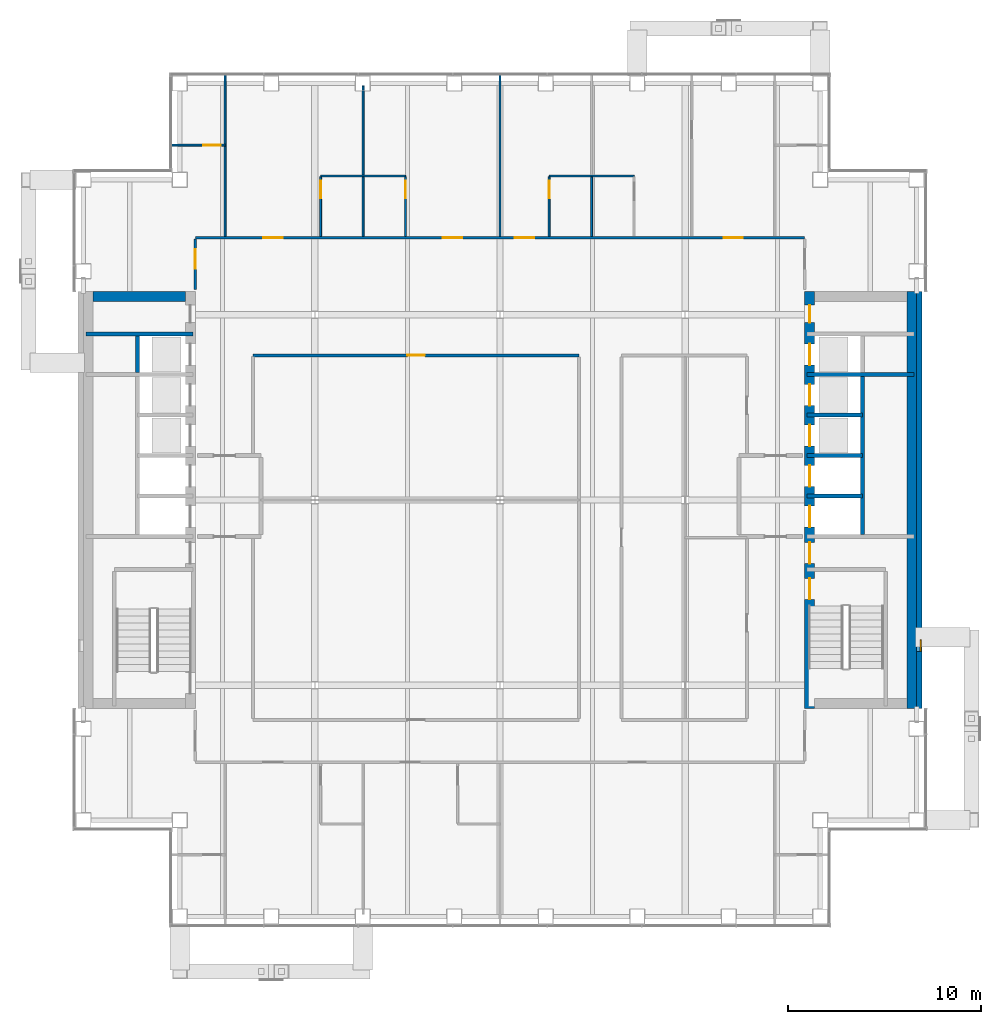
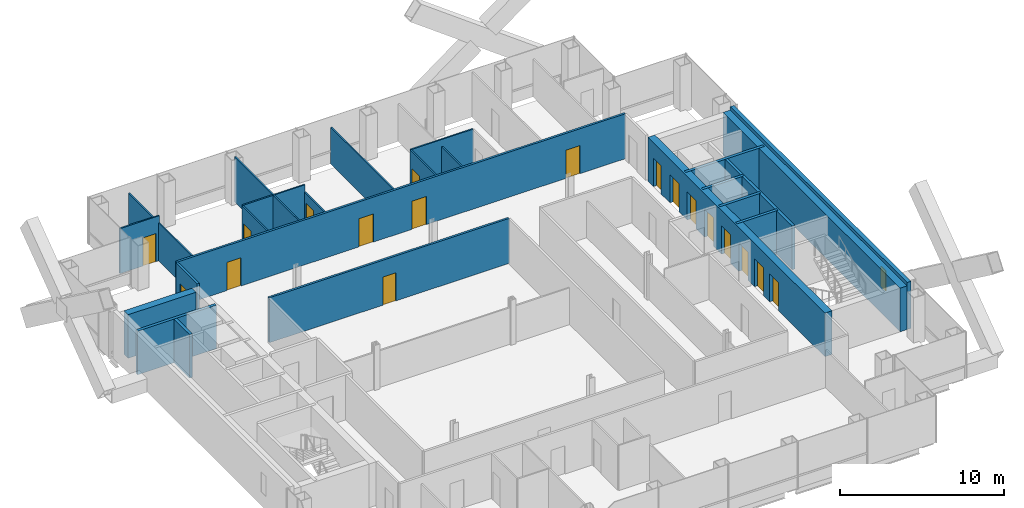
# One storey, part 11 of 14: 25 walls, 18 doors, 1 window, 19 openings.
"""IFC4 building model written with IfcOpenShell, lengths in metres."""

from ifc_helpers import new_model, si_unit, direction, frame, frame_2d, origin, place, context, subcontext, project, spatial, rectangle, extrude, material, layer, layer_set, type_object, element, fill, save


model = new_model("IFC4")

# Units and contexts
model_context = context("Model", 3, precision=1e-05, world=origin(), true_north=direction((0.0, 1.0)))
body_context = subcontext(model_context, "Body", "Model", "MODEL_VIEW")
ifc_project = project(units=[si_unit("LENGTHUNIT", "METRE"), si_unit("AREAUNIT", "SQUARE_METRE"), si_unit("VOLUMEUNIT", "CUBIC_METRE"), si_unit("PLANEANGLEUNIT", "RADIAN"), si_unit("MASSUNIT", "GRAM", prefix="KILO")], contexts=[model_context])

# Site, building, storey
site_placement = place(None, origin())
site = spatial("IfcSite", under=ifc_project, at=site_placement, CompositionType="ELEMENT")
building_placement = place(site_placement, origin())
building = spatial("IfcBuilding", under=site, at=building_placement, Name="Cobrizo Arcos Hotel Tower", CompositionType="ELEMENT")
storey_placement = place(building_placement, frame((0.0, 0.0, 179.5)))
storey = spatial("IfcBuildingStorey", under=building, at=storey_placement, Name="L46", CompositionType="ELEMENT", Elevation=179.5)

# Wall, opening, door
ifc_material_1 = material(Name="Gypsum board partition")
ifc_layer_1 = layer(ifc_material_1, 0.14990234375)
ifc_layer_set_1 = layer_set([ifc_layer_1], Name="Corridor wall EI 60 150")
wall_type_1 = type_object("IfcWallType", Name="Corridor wall EI 60 150", PredefinedType="PARTITIONING", material=ifc_layer_set_1)
wall_1_placement = place(storey_placement, frame((-12.800048828125, 7.5, 0.0), z_axis=(0.0, 0.0, 1.0), x_axis=(1.0, 0.0, 0.0)))
wall_1 = element("IfcWall", 1, at=wall_1_placement, inside=storey, type_object=wall_type_1, Name="Partition 030", PredefinedType="PARTITIONING", context=body_context, shape_type="SweptSolid", body=[
    extrude(rectangle(XDim=16.900146484375, YDim=0.14990234375, at=frame_2d((8.4501953125, 0.0))), origin(), (0.0, 0.0, 1.0), 3.35009765625),
])
opening_1_placement = place(wall_1_placement, frame((8.0, 0.0, 0.0)))
opening_1 = element("IfcOpeningElement", 2, at=opening_1_placement, cuts=wall_1, Name="Opening RD-06", PredefinedType="OPENING", context=body_context, shape_type="SweptSolid", body=[
    extrude(rectangle(XDim=0.89990234375, YDim=2.10009765625, at=frame_2d((0.449951171875, 1.050048828125))), frame((0.0, 0.0869140625, 0.0), z_axis=(0.0, -1.0, 0.0), x_axis=(1.0, 0.0, 0.0)), (0.0, 0.0, 1.0), 0.173828125),
])
ifc_material_2 = material(Name="Timber door leaf", Category="wood")
door_type_1 = type_object("IfcDoorType", Name="Room door FD30 900x2100", OperationType="SINGLE_SWING_LEFT", PredefinedType="DOOR", material=ifc_material_2)
door_1_placement = place(opening_1_placement, origin())
door_1 = element("IfcDoor", 3, at=door_1_placement, inside=storey, type_object=door_type_1, Name="Door RD-06", OperationType="SINGLE_SWING_RIGHT", OverallHeight=2.10009765625, OverallWidth=0.89990234375, PredefinedType="DOOR", context=body_context, shape_type="SweptSolid", body=[
    extrude(rectangle(XDim=0.89990234375, YDim=2.10009765625, at=frame_2d((0.449951171875, 1.050048828125))), frame((0.0, 0.02490234375, 0.0), z_axis=(0.0, -1.0, 0.0), x_axis=(1.0, 0.0, 0.0)), (0.0, 0.0, 1.0), 0.050048828125),
])
fill(opening_1, door_1)

# Wall, openings, doors
wall_2_placement = place(storey_placement, frame((-15.800048828125, 13.60009765625, 0.0), z_axis=(0.0, 0.0, 1.0), x_axis=(1.0, 0.0, 0.0)))
wall_2 = element("IfcWall", 4, at=wall_2_placement, inside=storey, type_object=wall_type_1, Name="Partition 034", PredefinedType="PARTITIONING", context=body_context, shape_type="SweptSolid", body=[
    extrude(rectangle(XDim=31.60009765625, YDim=0.14990234375, at=frame_2d((15.800048828125, 0.0))), origin(), (0.0, 0.0, 1.0), 3.35009765625),
])
opening_2_placement = place(wall_2_placement, frame((3.529052734375, 0.0, 0.0)))
opening_2 = element("IfcOpeningElement", 5, at=opening_2_placement, cuts=wall_2, Name="Opening GD-01", PredefinedType="OPENING", context=body_context, shape_type="SweptSolid", body=[
    extrude(rectangle(XDim=1.0, YDim=2.10009765625, at=frame_2d((0.5, 1.050048828125))), frame((0.0, 0.0869140625, 0.0), z_axis=(0.0, -1.0, 0.0), x_axis=(1.0, 0.0, 0.0)), (0.0, 0.0, 1.0), 0.173828125),
])
opening_3_placement = place(wall_2_placement, frame((12.843017578125, 0.0, 0.0)))
opening_3 = element("IfcOpeningElement", 6, at=opening_3_placement, cuts=wall_2, Name="Opening GD-02", PredefinedType="OPENING", context=body_context, shape_type="SweptSolid", body=[
    extrude(rectangle(XDim=1.0, YDim=2.10009765625, at=frame_2d((0.5, 1.050048828125))), frame((0.0, 0.0869140625, 0.0), z_axis=(0.0, -1.0, 0.0), x_axis=(1.0, 0.0, 0.0)), (0.0, 0.0, 1.0), 0.173828125),
])
opening_4_placement = place(wall_2_placement, frame((16.572021484375, 0.0, 0.0)))
opening_4 = element("IfcOpeningElement", 7, at=opening_4_placement, cuts=wall_2, Name="Opening GD-03", PredefinedType="OPENING", context=body_context, shape_type="SweptSolid", body=[
    extrude(rectangle(XDim=1.0, YDim=2.10009765625, at=frame_2d((0.5, 1.050048828125))), frame((0.0, 0.0869140625, 0.0), z_axis=(0.0, -1.0, 0.0), x_axis=(1.0, 0.0, 0.0)), (0.0, 0.0, 1.0), 0.173828125),
])
opening_5_placement = place(wall_2_placement, frame((27.39501953125, 0.0, 0.0)))
opening_5 = element("IfcOpeningElement", 8, at=opening_5_placement, cuts=wall_2, Name="Opening GD-04", PredefinedType="OPENING", context=body_context, shape_type="SweptSolid", body=[
    extrude(rectangle(XDim=1.0, YDim=2.10009765625, at=frame_2d((0.5, 1.050048828125))), frame((0.0, 0.0869140625, 0.0), z_axis=(0.0, -1.0, 0.0), x_axis=(1.0, 0.0, 0.0)), (0.0, 0.0, 1.0), 0.173828125),
])
door_type_2 = type_object("IfcDoorType", Name="Guest room door FD30S 1000x2100", OperationType="SINGLE_SWING_LEFT", PredefinedType="DOOR", material=ifc_material_2)
door_2_placement = place(opening_2_placement, origin())
door_2 = element("IfcDoor", 9, at=door_2_placement, inside=storey, type_object=door_type_2, Name="Door GD-01", OperationType="SINGLE_SWING_RIGHT", OverallHeight=2.10009765625, OverallWidth=1.0, PredefinedType="DOOR", context=body_context, shape_type="SweptSolid", body=[
    extrude(rectangle(XDim=1.0, YDim=2.10009765625, at=frame_2d((0.5, 1.050048828125))), frame((0.0, 0.02490234375, 0.0), z_axis=(0.0, -1.0, 0.0), x_axis=(1.0, 0.0, 0.0)), (0.0, 0.0, 1.0), 0.050048828125),
])
fill(opening_2, door_2)
door_3_placement = place(opening_3_placement, origin())
door_3 = element("IfcDoor", 10, at=door_3_placement, inside=storey, type_object=door_type_2, Name="Door GD-02", OperationType="SINGLE_SWING_RIGHT", OverallHeight=2.10009765625, OverallWidth=1.0, PredefinedType="DOOR", context=body_context, shape_type="SweptSolid", body=[
    extrude(rectangle(XDim=1.0, YDim=2.10009765625, at=frame_2d((0.5, 1.050048828125))), frame((0.0, 0.02490234375, 0.0), z_axis=(0.0, -1.0, 0.0), x_axis=(1.0, 0.0, 0.0)), (0.0, 0.0, 1.0), 0.050048828125),
])
fill(opening_3, door_3)
door_4_placement = place(opening_4_placement, origin())
door_4 = element("IfcDoor", 11, at=door_4_placement, inside=storey, type_object=door_type_2, Name="Door GD-03", OperationType="SINGLE_SWING_RIGHT", OverallHeight=2.10009765625, OverallWidth=1.0, PredefinedType="DOOR", context=body_context, shape_type="SweptSolid", body=[
    extrude(rectangle(XDim=1.0, YDim=2.10009765625, at=frame_2d((0.5, 1.050048828125))), frame((0.0, 0.02490234375, 0.0), z_axis=(0.0, -1.0, 0.0), x_axis=(1.0, 0.0, 0.0)), (0.0, 0.0, 1.0), 0.050048828125),
])
fill(opening_4, door_4)
door_5_placement = place(opening_5_placement, origin())
door_5 = element("IfcDoor", 12, at=door_5_placement, inside=storey, type_object=door_type_2, Name="Door GD-04", OperationType="SINGLE_SWING_LEFT", OverallHeight=2.10009765625, OverallWidth=1.0, PredefinedType="DOOR", context=body_context, shape_type="SweptSolid", body=[
    extrude(rectangle(XDim=1.0, YDim=2.10009765625, at=frame_2d((0.5, 1.050048828125))), frame((0.0, 0.02490234375, 0.0), z_axis=(0.0, -1.0, 0.0), x_axis=(1.0, 0.0, 0.0)), (0.0, 0.0, 1.0), 0.050048828125),
])
fill(opening_5, door_5)

# Wall, opening, door
wall_3_placement = place(storey_placement, frame((-15.800048828125, 10.919921875, 0.0), z_axis=(0.0, 0.0, 1.0), x_axis=(0.0, 1.0, 0.0)))
wall_3 = element("IfcWall", 13, at=wall_3_placement, inside=storey, type_object=wall_type_1, Name="Partition 044", PredefinedType="PARTITIONING", context=body_context, shape_type="SweptSolid", body=[
    extrude(rectangle(XDim=2.60498046875, YDim=0.14990234375, at=frame_2d((1.302490234375, 0.0))), origin(), (0.0, 0.0, 1.0), 3.35009765625),
])
opening_6_placement = place(wall_3_placement, frame((1.080078125, 0.0, 0.0)))
opening_6 = element("IfcOpeningElement", 14, at=opening_6_placement, cuts=wall_3, Name="Opening GD-08", PredefinedType="OPENING", context=body_context, shape_type="SweptSolid", body=[
    extrude(rectangle(XDim=1.0, YDim=2.10009765625, at=frame_2d((0.5, 1.050048828125))), frame((0.0, 0.0869140625, 0.0), z_axis=(0.0, -1.0, 0.0), x_axis=(1.0, 0.0, 0.0)), (0.0, 0.0, 1.0), 0.173828125),
])
door_6_placement = place(opening_6_placement, origin())
door_6 = element("IfcDoor", 15, at=door_6_placement, inside=storey, type_object=door_type_2, Name="Door GD-08", OperationType="SINGLE_SWING_RIGHT", OverallHeight=2.10009765625, OverallWidth=1.0, PredefinedType="DOOR", context=body_context, shape_type="SweptSolid", body=[
    extrude(rectangle(XDim=1.0, YDim=2.10009765625, at=frame_2d((0.5, 1.050048828125))), frame((0.0, 0.02490234375, 0.0), z_axis=(0.0, -1.0, 0.0), x_axis=(1.0, 0.0, 0.0)), (0.0, 0.0, 1.0), 0.050048828125),
])
fill(opening_6, door_6)

# Wall, opening, window
ifc_material_3 = material(Name="Aluminium composite panel pale metal", Category="aluminium")
ifc_layer_2 = layer(ifc_material_3, 0.27490234375)
ifc_layer_set_2 = layer_set([ifc_layer_2], Name="EW-1 insulated panel wall 275")
wall_type_2 = type_object("IfcWallType", Name="EW-1 insulated panel wall 275", PredefinedType="SOLIDWALL", material=ifc_layer_set_2)
wall_4_placement = place(storey_placement, frame((21.737548828125, -10.800048828125, 0.0), z_axis=(0.0, 0.0, 1.0), x_axis=(0.0, 1.0, 0.0)))
wall_4 = element("IfcWall", 16, at=wall_4_placement, inside=storey, type_object=wall_type_2, Name="Core face wall L46 E", PredefinedType="SOLIDWALL", context=body_context, shape_type="SweptSolid", body=[
    extrude(rectangle(XDim=21.60009765625, YDim=0.27490234375, at=frame_2d((10.800048828125, 0.0))), origin(), (0.0, 0.0, 1.0), 3.5),
])
opening_7_placement = place(wall_4_placement, frame((2.949951171875, 0.0, 1.0)))
opening_7 = element("IfcOpeningElement", 17, at=opening_7_placement, cuts=wall_4, Name="Opening W-99", PredefinedType="OPENING", context=body_context, shape_type="SweptSolid", body=[
    extrude(rectangle(XDim=0.60009765625, YDim=1.5, at=frame_2d((0.300048828125, 0.75))), frame((0.0, 0.1494140625, 0.0), z_axis=(0.0, -1.0, 0.0), x_axis=(1.0, 0.0, 0.0)), (0.0, 0.0, 1.0), 0.298828125),
])
ifc_material_4 = material(Name="Aluminium 6063-T6 and clear laminated glass", Category="aluminium")
window_type = type_object("IfcWindowType", Name="W-C1 core stair slot window 600x1500", PartitioningType="SINGLE_PANEL", PredefinedType="WINDOW", material=ifc_material_4)
window_placement = place(opening_7_placement, origin())
window = element("IfcWindow", 18, at=window_placement, inside=storey, type_object=window_type, Name="Core face wall L46 E window W-99", OverallHeight=1.5, OverallWidth=0.60009765625, PartitioningType="SINGLE_PANEL", PredefinedType="WINDOW", context=body_context, shape_type="SweptSolid", body=[
    extrude(rectangle(XDim=0.60009765625, YDim=1.5, at=frame_2d((0.300048828125, 0.75))), frame((0.0, -0.04736328125, 0.0), z_axis=(0.0, -1.0, 0.0), x_axis=(1.0, 0.0, 0.0)), (0.0, 0.0, 1.0), 0.06005859375),
])
fill(opening_7, window)

# Walls
ifc_layer_3 = layer(ifc_material_1, 0.10009765625)
ifc_layer_set_3 = layer_set([ifc_layer_3], Name="Partition EI 30 100")
wall_type_3 = type_object("IfcWallType", Name="Partition EI 30 100", PredefinedType="PARTITIONING", material=ifc_layer_set_3)
wall_5_placement = place(storey_placement, frame((-9.300048828125, 16.800048828125, 0.0), z_axis=(0.0, 0.0, 1.0), x_axis=(1.0, 0.0, 0.0)))
element("IfcWall", 19, at=wall_5_placement, inside=storey, type_object=wall_type_3, Name="Partition 035", PredefinedType="PARTITIONING", context=body_context, shape_type="SweptSolid", body=[
    extrude(rectangle(XDim=4.400146484375, YDim=0.10009765625, at=frame_2d((2.2001953125, 0.0))), origin(), (0.0, 0.0, 1.0), 3.35009765625),
])
wall_6_placement = place(storey_placement, frame((2.550048828125, 16.800048828125, 0.0), z_axis=(0.0, 0.0, 1.0), x_axis=(1.0, 0.0, 0.0)))
element("IfcWall", 20, at=wall_6_placement, inside=storey, type_object=wall_type_3, Name="Partition 036", PredefinedType="PARTITIONING", context=body_context, shape_type="SweptSolid", body=[
    extrude(rectangle(XDim=4.39990234375, YDim=0.10009765625, at=frame_2d((2.199951171875, 0.0))), origin(), (0.0, 0.0, 1.0), 3.35009765625),
])

# Wall, opening, door
wall_7_placement = place(storey_placement, frame((-17.030029296875, 18.39990234375, 0.0), z_axis=(0.0, 0.0, 1.0), x_axis=(1.0, 0.0, 0.0)))
wall_7 = element("IfcWall", 21, at=wall_7_placement, inside=storey, type_object=wall_type_3, Name="Partition 037", PredefinedType="PARTITIONING", context=body_context, shape_type="SweptSolid", body=[
    extrude(rectangle(XDim=2.780029296875, YDim=0.10009765625, at=frame_2d((1.39013671875, 0.0))), origin(), (0.0, 0.0, 1.0), 3.35009765625),
])
opening_8_placement = place(wall_7_placement, frame((1.639892578125, 0.0, 0.0)))
opening_8 = element("IfcOpeningElement", 22, at=opening_8_placement, cuts=wall_7, Name="Opening ED-08", PredefinedType="OPENING", context=body_context, shape_type="SweptSolid", body=[
    extrude(rectangle(XDim=0.89990234375, YDim=2.10009765625, at=frame_2d((0.449951171875, 1.050048828125))), frame((0.0, 0.06201171875, 0.0), z_axis=(0.0, -1.0, 0.0), x_axis=(1.0, 0.0, 0.0)), (0.0, 0.0, 1.0), 0.1240234375),
])
door_type_3 = type_object("IfcDoorType", Name="En-suite door 900x2100", OperationType="SINGLE_SWING_LEFT", PredefinedType="DOOR", material=ifc_material_2)
door_7_placement = place(opening_8_placement, origin())
door_7 = element("IfcDoor", 23, at=door_7_placement, inside=storey, type_object=door_type_3, Name="Door ED-08", OperationType="SINGLE_SWING_RIGHT", OverallHeight=2.10009765625, OverallWidth=0.89990234375, PredefinedType="DOOR", context=body_context, shape_type="SweptSolid", body=[
    extrude(rectangle(XDim=0.89990234375, YDim=2.10009765625, at=frame_2d((0.449951171875, 1.050048828125))), frame((0.0, 0.02490234375, 0.0), z_axis=(0.0, -1.0, 0.0), x_axis=(1.0, 0.0, 0.0)), (0.0, 0.0, 1.0), 0.050048828125),
])
fill(opening_8, door_7)

# Wall
wall_8_placement = place(storey_placement, frame((-14.25, 13.675048828125, 0.0), z_axis=(0.0, 0.0, 1.0), x_axis=(0.0, 1.0, 0.0)))
element("IfcWall", 24, at=wall_8_placement, inside=storey, type_object=wall_type_3, Name="Partition 046", PredefinedType="PARTITIONING", context=body_context, shape_type="SweptSolid", body=[
    extrude(rectangle(XDim=8.35498046875, YDim=0.10009765625, at=frame_2d((4.177490234375, 0.0))), origin(), (0.0, 0.0, 1.0), 2.81689453125),
])

# Wall, opening, door
wall_9_placement = place(storey_placement, frame((-9.300048828125, 13.675048828125, 0.0), z_axis=(0.0, 0.0, 1.0), x_axis=(0.0, 1.0, 0.0)))
wall_9 = element("IfcWall", 25, at=wall_9_placement, inside=storey, type_object=wall_type_3, Name="Partition 051", PredefinedType="PARTITIONING", context=body_context, shape_type="SweptSolid", body=[
    extrude(rectangle(XDim=3.074951171875, YDim=0.10009765625, at=frame_2d((1.53759765625, 0.0))), origin(), (0.0, 0.0, 1.0), 3.35009765625),
])
opening_9_placement = place(wall_9_placement, frame((1.970947265625, 0.0, 0.0)))
opening_9 = element("IfcOpeningElement", 26, at=opening_9_placement, cuts=wall_9, Name="Opening ED-01", PredefinedType="OPENING", context=body_context, shape_type="SweptSolid", body=[
    extrude(rectangle(XDim=0.89990234375, YDim=2.10009765625, at=frame_2d((0.449951171875, 1.050048828125))), frame((0.0, 0.06201171875, 0.0), z_axis=(0.0, -1.0, 0.0), x_axis=(1.0, 0.0, 0.0)), (0.0, 0.0, 1.0), 0.1240234375),
])
door_8_placement = place(opening_9_placement, origin())
door_8 = element("IfcDoor", 27, at=door_8_placement, inside=storey, type_object=door_type_3, Name="Door ED-01", OperationType="SINGLE_SWING_LEFT", OverallHeight=2.10009765625, OverallWidth=0.89990234375, PredefinedType="DOOR", context=body_context, shape_type="SweptSolid", body=[
    extrude(rectangle(XDim=0.89990234375, YDim=2.10009765625, at=frame_2d((0.449951171875, 1.050048828125))), frame((0.0, 0.02490234375, 0.0), z_axis=(0.0, -1.0, 0.0), x_axis=(1.0, 0.0, 0.0)), (0.0, 0.0, 1.0), 0.050048828125),
])
fill(opening_9, door_8)

# Walls
wall_10_placement = place(storey_placement, frame((-7.10009765625, 13.675048828125, 0.0), z_axis=(0.0, 0.0, 1.0), x_axis=(0.0, 1.0, 0.0)))
element("IfcWall", 28, at=wall_10_placement, inside=storey, type_object=wall_type_3, Name="Partition 053", PredefinedType="PARTITIONING", context=body_context, shape_type="SweptSolid", body=[
    extrude(rectangle(XDim=3.074951171875, YDim=0.10009765625, at=frame_2d((1.53759765625, 0.0))), origin(), (0.0, 0.0, 1.0), 3.35009765625),
])
wall_11_placement = place(storey_placement, frame((-7.10009765625, 16.85009765625, 0.0), z_axis=(0.0, 0.0, 1.0), x_axis=(0.0, 1.0, 0.0)))
element("IfcWall", 29, at=wall_11_placement, inside=storey, type_object=wall_type_3, Name="Partition 054", PredefinedType="PARTITIONING", context=body_context, shape_type="SweptSolid", body=[
    extrude(rectangle(XDim=4.6298828125, YDim=0.10009765625, at=frame_2d((2.31494140625, 0.0))), origin(), (0.0, 0.0, 1.0), 3.35009765625),
])

# Wall, opening, door
wall_12_placement = place(storey_placement, frame((-4.89990234375, 13.675048828125, 0.0), z_axis=(0.0, 0.0, 1.0), x_axis=(0.0, 1.0, 0.0)))
wall_12 = element("IfcWall", 30, at=wall_12_placement, inside=storey, type_object=wall_type_3, Name="Partition 055", PredefinedType="PARTITIONING", context=body_context, shape_type="SweptSolid", body=[
    extrude(rectangle(XDim=3.074951171875, YDim=0.10009765625, at=frame_2d((1.53759765625, 0.0))), origin(), (0.0, 0.0, 1.0), 2.81689453125),
])
opening_10_placement = place(wall_12_placement, frame((1.970947265625, 0.0, 0.0)))
opening_10 = element("IfcOpeningElement", 31, at=opening_10_placement, cuts=wall_12, Name="Opening ED-02", PredefinedType="OPENING", context=body_context, shape_type="SweptSolid", body=[
    extrude(rectangle(XDim=0.89990234375, YDim=2.10009765625, at=frame_2d((0.449951171875, 1.050048828125))), frame((0.0, 0.06201171875, 0.0), z_axis=(0.0, -1.0, 0.0), x_axis=(1.0, 0.0, 0.0)), (0.0, 0.0, 1.0), 0.1240234375),
])
door_9_placement = place(opening_10_placement, origin())
door_9 = element("IfcDoor", 32, at=door_9_placement, inside=storey, type_object=door_type_3, Name="Door ED-02", OperationType="SINGLE_SWING_RIGHT", OverallHeight=2.10009765625, OverallWidth=0.89990234375, PredefinedType="DOOR", context=body_context, shape_type="SweptSolid", body=[
    extrude(rectangle(XDim=0.89990234375, YDim=2.10009765625, at=frame_2d((0.449951171875, 1.050048828125))), frame((0.0, 0.02490234375, 0.0), z_axis=(0.0, -1.0, 0.0), x_axis=(1.0, 0.0, 0.0)), (0.0, 0.0, 1.0), 0.050048828125),
])
fill(opening_10, door_9)

# Wall
wall_13_placement = place(storey_placement, frame((0.0, 13.675048828125, 0.0), z_axis=(0.0, 0.0, 1.0), x_axis=(0.0, 1.0, 0.0)))
element("IfcWall", 33, at=wall_13_placement, inside=storey, type_object=wall_type_3, Name="Partition 058", PredefinedType="PARTITIONING", context=body_context, shape_type="SweptSolid", body=[
    extrude(rectangle(XDim=8.35498046875, YDim=0.10009765625, at=frame_2d((4.177490234375, 0.0))), origin(), (0.0, 0.0, 1.0), 2.72802734375),
])

# Wall, opening, door
wall_14_placement = place(storey_placement, frame((2.550048828125, 13.675048828125, 0.0), z_axis=(0.0, 0.0, 1.0), x_axis=(0.0, 1.0, 0.0)))
wall_14 = element("IfcWall", 34, at=wall_14_placement, inside=storey, type_object=wall_type_3, Name="Partition 059", PredefinedType="PARTITIONING", context=body_context, shape_type="SweptSolid", body=[
    extrude(rectangle(XDim=3.074951171875, YDim=0.10009765625, at=frame_2d((1.53759765625, 0.0))), origin(), (0.0, 0.0, 1.0), 3.35009765625),
])
opening_11_placement = place(wall_14_placement, frame((1.970947265625, 0.0, 0.0)))
opening_11 = element("IfcOpeningElement", 35, at=opening_11_placement, cuts=wall_14, Name="Opening ED-03", PredefinedType="OPENING", context=body_context, shape_type="SweptSolid", body=[
    extrude(rectangle(XDim=0.89990234375, YDim=2.10009765625, at=frame_2d((0.449951171875, 1.050048828125))), frame((0.0, 0.06201171875, 0.0), z_axis=(0.0, -1.0, 0.0), x_axis=(1.0, 0.0, 0.0)), (0.0, 0.0, 1.0), 0.1240234375),
])
door_10_placement = place(opening_11_placement, origin())
door_10 = element("IfcDoor", 36, at=door_10_placement, inside=storey, type_object=door_type_3, Name="Door ED-03", OperationType="SINGLE_SWING_RIGHT", OverallHeight=2.10009765625, OverallWidth=0.89990234375, PredefinedType="DOOR", context=body_context, shape_type="SweptSolid", body=[
    extrude(rectangle(XDim=0.89990234375, YDim=2.10009765625, at=frame_2d((0.449951171875, 1.050048828125))), frame((0.0, 0.02490234375, 0.0), z_axis=(0.0, -1.0, 0.0), x_axis=(1.0, 0.0, 0.0)), (0.0, 0.0, 1.0), 0.050048828125),
])
fill(opening_11, door_10)

# Wall
wall_15_placement = place(storey_placement, frame((4.75, 13.675048828125, 0.0), z_axis=(0.0, 0.0, 1.0), x_axis=(0.0, 1.0, 0.0)))
element("IfcWall", 37, at=wall_15_placement, inside=storey, type_object=wall_type_3, Name="Partition 061", PredefinedType="PARTITIONING", context=body_context, shape_type="SweptSolid", body=[
    extrude(rectangle(XDim=3.074951171875, YDim=0.10009765625, at=frame_2d((1.53759765625, 0.0))), origin(), (0.0, 0.0, 1.0), 2.81689453125),
])

# Wall, openings, doors
ifc_material_5 = material(Name="Concrete f'c 50 MPa", Category="concrete")
ifc_layer_4 = layer(ifc_material_5, 0.5)
ifc_layer_set_4 = layer_set([ifc_layer_4], Name="RC core wall 500 f'c 50")
wall_type_4 = type_object("IfcWallType", Name="RC core wall 500 f'c 50", PredefinedType="SHEAR", material=ifc_layer_set_4)
wall_16_placement = place(storey_placement, frame((16.050048828125, -10.800048828125, 0.0), z_axis=(0.0, 0.0, 1.0), x_axis=(0.0, 1.0, 0.0)))
wall_16 = element("IfcWall", 38, at=wall_16_placement, inside=storey, type_object=wall_type_4, Name="Core wall CW3, east core, inner face, L46", PredefinedType="SHEAR", context=body_context, shape_type="SweptSolid", body=[
    extrude(rectangle(XDim=21.60009765625, YDim=0.5, at=frame_2d((10.800048828125, 0.0))), origin(), (0.0, 0.0, 1.0), 3.25),
])
opening_12_placement = place(wall_16_placement, frame((9.39990234375, 0.0, 0.0)))
opening_12 = element("IfcOpeningElement", 39, at=opening_12_placement, cuts=wall_16, Name="Opening LD-06", PredefinedType="OPENING", context=body_context, shape_type="SweptSolid", body=[
    extrude(rectangle(XDim=1.10009765625, YDim=2.10009765625, at=frame_2d((0.550048828125, 1.050048828125))), frame((0.0, 0.261962890625, 0.0), z_axis=(0.0, -1.0, 0.0), x_axis=(1.0, 0.0, 0.0)), (0.0, 0.0, 1.0), 0.52392578125),
])
opening_13_placement = place(wall_16_placement, frame((11.5, 0.0, 0.0)))
opening_13 = element("IfcOpeningElement", 40, at=opening_13_placement, cuts=wall_16, Name="Opening LD-07", PredefinedType="OPENING", context=body_context, shape_type="SweptSolid", body=[
    extrude(rectangle(XDim=1.10009765625, YDim=2.10009765625, at=frame_2d((0.550048828125, 1.050048828125))), frame((0.0, 0.261962890625, 0.0), z_axis=(0.0, -1.0, 0.0), x_axis=(1.0, 0.0, 0.0)), (0.0, 0.0, 1.0), 0.52392578125),
])
opening_14_placement = place(wall_16_placement, frame((13.60009765625, 0.0, 0.0)))
opening_14 = element("IfcOpeningElement", 41, at=opening_14_placement, cuts=wall_16, Name="Opening LD-08", PredefinedType="OPENING", context=body_context, shape_type="SweptSolid", body=[
    extrude(rectangle(XDim=1.10009765625, YDim=2.10009765625, at=frame_2d((0.550048828125, 1.050048828125))), frame((0.0, 0.261962890625, 0.0), z_axis=(0.0, -1.0, 0.0), x_axis=(1.0, 0.0, 0.0)), (0.0, 0.0, 1.0), 0.52392578125),
])
opening_15_placement = place(wall_16_placement, frame((15.699951171875, 0.0, 0.0)))
opening_15 = element("IfcOpeningElement", 42, at=opening_15_placement, cuts=wall_16, Name="Opening LD-09", PredefinedType="OPENING", context=body_context, shape_type="SweptSolid", body=[
    extrude(rectangle(XDim=1.10009765625, YDim=2.10009765625, at=frame_2d((0.550048828125, 1.050048828125))), frame((0.0, 0.261962890625, 0.0), z_axis=(0.0, -1.0, 0.0), x_axis=(1.0, 0.0, 0.0)), (0.0, 0.0, 1.0), 0.52392578125),
])
opening_16_placement = place(wall_16_placement, frame((17.800048828125, 0.0, 0.0)))
opening_16 = element("IfcOpeningElement", 43, at=opening_16_placement, cuts=wall_16, Name="Opening LD-10", PredefinedType="OPENING", context=body_context, shape_type="SweptSolid", body=[
    extrude(rectangle(XDim=1.10009765625, YDim=2.10009765625, at=frame_2d((0.550048828125, 1.050048828125))), frame((0.0, 0.261962890625, 0.0), z_axis=(0.0, -1.0, 0.0), x_axis=(1.0, 0.0, 0.0)), (0.0, 0.0, 1.0), 0.52392578125),
])
opening_17_placement = place(wall_16_placement, frame((5.64208984375, 0.0, 0.0)))
opening_17 = element("IfcOpeningElement", 44, at=opening_17_placement, cuts=wall_16, Name="Opening SD-02", PredefinedType="OPENING", context=body_context, shape_type="SweptSolid", body=[
    extrude(rectangle(XDim=1.10009765625, YDim=2.10009765625, at=frame_2d((0.550048828125, 1.050048828125))), frame((0.0, 0.261962890625, 0.0), z_axis=(0.0, -1.0, 0.0), x_axis=(1.0, 0.0, 0.0)), (0.0, 0.0, 1.0), 0.52392578125),
])
opening_18_placement = place(wall_16_placement, frame((7.5, 0.0, 0.0)))
opening_18 = element("IfcOpeningElement", 45, at=opening_18_placement, cuts=wall_16, Name="Opening FD-04", PredefinedType="OPENING", context=body_context, shape_type="SweptSolid", body=[
    extrude(rectangle(XDim=1.10009765625, YDim=2.10009765625, at=frame_2d((0.550048828125, 1.050048828125))), frame((0.0, 0.261962890625, 0.0), z_axis=(0.0, -1.0, 0.0), x_axis=(1.0, 0.0, 0.0)), (0.0, 0.0, 1.0), 0.52392578125),
])
opening_19_placement = place(wall_16_placement, frame((20.0, 0.0, 0.0)))
opening_19 = element("IfcOpeningElement", 46, at=opening_19_placement, cuts=wall_16, Name="Opening RD-02", PredefinedType="OPENING", context=body_context, shape_type="SweptSolid", body=[
    extrude(rectangle(XDim=0.89990234375, YDim=2.10009765625, at=frame_2d((0.449951171875, 1.050048828125))), frame((0.0, 0.261962890625, 0.0), z_axis=(0.0, -1.0, 0.0), x_axis=(1.0, 0.0, 0.0)), (0.0, 0.0, 1.0), 0.52392578125),
])
ifc_material_6 = material(Name="Steel door leaf", Category="steel")
door_type_4 = type_object("IfcDoorType", Name="Fire door FD60 1100x2100", OperationType="SINGLE_SWING_LEFT", PredefinedType="DOOR", material=ifc_material_6)
door_11_placement = place(opening_18_placement, origin())
door_11 = element("IfcDoor", 47, at=door_11_placement, inside=storey, type_object=door_type_4, Name="Door FD-04", OperationType="SINGLE_SWING_RIGHT", OverallHeight=2.10009765625, OverallWidth=1.10009765625, PredefinedType="DOOR", context=body_context, shape_type="SweptSolid", body=[
    extrude(rectangle(XDim=1.10009765625, YDim=2.10009765625, at=frame_2d((0.550048828125, 1.050048828125))), frame((0.0, 0.02490234375, 0.0), z_axis=(0.0, -1.0, 0.0), x_axis=(1.0, 0.0, 0.0)), (0.0, 0.0, 1.0), 0.050048828125),
])
fill(opening_18, door_11)
door_type_5 = type_object("IfcDoorType", Name="Lift landing door 1100x2100", OperationType="SLIDING_TO_LEFT", PredefinedType="DOOR", material=ifc_material_6)
door_12_placement = place(opening_12_placement, origin())
door_12 = element("IfcDoor", 48, at=door_12_placement, inside=storey, type_object=door_type_5, Name="Lift landing door LD-06", OperationType="SLIDING_TO_LEFT", OverallHeight=2.10009765625, OverallWidth=1.10009765625, PredefinedType="DOOR", context=body_context, shape_type="SweptSolid", body=[
    extrude(rectangle(XDim=1.10009765625, YDim=2.10009765625, at=frame_2d((0.550048828125, 1.050048828125))), frame((0.0, 0.02490234375, 0.0), z_axis=(0.0, -1.0, 0.0), x_axis=(1.0, 0.0, 0.0)), (0.0, 0.0, 1.0), 0.050048828125),
])
fill(opening_12, door_12)
door_13_placement = place(opening_13_placement, origin())
door_13 = element("IfcDoor", 49, at=door_13_placement, inside=storey, type_object=door_type_5, Name="Lift landing door LD-07", OperationType="SLIDING_TO_LEFT", OverallHeight=2.10009765625, OverallWidth=1.10009765625, PredefinedType="DOOR", context=body_context, shape_type="SweptSolid", body=[
    extrude(rectangle(XDim=1.10009765625, YDim=2.10009765625, at=frame_2d((0.550048828125, 1.050048828125))), frame((0.0, 0.02490234375, 0.0), z_axis=(0.0, -1.0, 0.0), x_axis=(1.0, 0.0, 0.0)), (0.0, 0.0, 1.0), 0.050048828125),
])
fill(opening_13, door_13)
door_14_placement = place(opening_14_placement, origin())
door_14 = element("IfcDoor", 50, at=door_14_placement, inside=storey, type_object=door_type_5, Name="Lift landing door LD-08", OperationType="SLIDING_TO_LEFT", OverallHeight=2.10009765625, OverallWidth=1.10009765625, PredefinedType="DOOR", context=body_context, shape_type="SweptSolid", body=[
    extrude(rectangle(XDim=1.10009765625, YDim=2.10009765625, at=frame_2d((0.550048828125, 1.050048828125))), frame((0.0, 0.02490234375, 0.0), z_axis=(0.0, -1.0, 0.0), x_axis=(1.0, 0.0, 0.0)), (0.0, 0.0, 1.0), 0.050048828125),
])
fill(opening_14, door_14)
door_15_placement = place(opening_15_placement, origin())
door_15 = element("IfcDoor", 51, at=door_15_placement, inside=storey, type_object=door_type_5, Name="Lift landing door LD-09", OperationType="SLIDING_TO_LEFT", OverallHeight=2.10009765625, OverallWidth=1.10009765625, PredefinedType="DOOR", context=body_context, shape_type="SweptSolid", body=[
    extrude(rectangle(XDim=1.10009765625, YDim=2.10009765625, at=frame_2d((0.550048828125, 1.050048828125))), frame((0.0, 0.02490234375, 0.0), z_axis=(0.0, -1.0, 0.0), x_axis=(1.0, 0.0, 0.0)), (0.0, 0.0, 1.0), 0.050048828125),
])
fill(opening_15, door_15)
door_16_placement = place(opening_16_placement, origin())
door_16 = element("IfcDoor", 52, at=door_16_placement, inside=storey, type_object=door_type_5, Name="Lift landing door LD-10", OperationType="SLIDING_TO_LEFT", OverallHeight=2.10009765625, OverallWidth=1.10009765625, PredefinedType="DOOR", context=body_context, shape_type="SweptSolid", body=[
    extrude(rectangle(XDim=1.10009765625, YDim=2.10009765625, at=frame_2d((0.550048828125, 1.050048828125))), frame((0.0, 0.02490234375, 0.0), z_axis=(0.0, -1.0, 0.0), x_axis=(1.0, 0.0, 0.0)), (0.0, 0.0, 1.0), 0.050048828125),
])
fill(opening_16, door_16)
door_17_placement = place(opening_19_placement, origin())
door_17 = element("IfcDoor", 53, at=door_17_placement, inside=storey, type_object=door_type_1, Name="Door RD-02", OperationType="SINGLE_SWING_LEFT", OverallHeight=2.10009765625, OverallWidth=0.89990234375, PredefinedType="DOOR", context=body_context, shape_type="SweptSolid", body=[
    extrude(rectangle(XDim=0.89990234375, YDim=2.10009765625, at=frame_2d((0.449951171875, 1.050048828125))), frame((0.0, 0.02490234375, 0.0), z_axis=(0.0, -1.0, 0.0), x_axis=(1.0, 0.0, 0.0)), (0.0, 0.0, 1.0), 0.050048828125),
])
fill(opening_19, door_17)
door_type_6 = type_object("IfcDoorType", Name="Stair door FD60S 1100x2100", OperationType="SINGLE_SWING_LEFT", PredefinedType="DOOR", material=ifc_material_6)
door_18_placement = place(opening_17_placement, origin())
door_18 = element("IfcDoor", 54, at=door_18_placement, inside=storey, type_object=door_type_6, Name="Door SD-02", OperationType="SINGLE_SWING_RIGHT", OverallHeight=2.10009765625, OverallWidth=1.10009765625, PredefinedType="DOOR", context=body_context, shape_type="SweptSolid", body=[
    extrude(rectangle(XDim=1.10009765625, YDim=2.10009765625, at=frame_2d((0.550048828125, 1.050048828125))), frame((0.0, 0.02490234375, 0.0), z_axis=(0.0, -1.0, 0.0), x_axis=(1.0, 0.0, 0.0)), (0.0, 0.0, 1.0), 0.050048828125),
])
fill(opening_17, door_18)

# Walls
wall_17_placement = place(storey_placement, frame((21.35009765625, -10.800048828125, 0.0), z_axis=(0.0, 0.0, 1.0), x_axis=(0.0, 1.0, 0.0)))
element("IfcWall", 55, at=wall_17_placement, inside=storey, type_object=wall_type_4, Name="Core wall CW3, east core, outer face, L46", PredefinedType="SHEAR", context=body_context, shape_type="SweptSolid", body=[
    extrude(rectangle(XDim=21.60009765625, YDim=0.5, at=frame_2d((10.800048828125, 0.0))), origin(), (0.0, 0.0, 1.0), 3.25),
])
wall_18_placement = place(storey_placement, frame((-21.10009765625, 10.550048828125, 0.0), z_axis=(0.0, 0.0, 1.0), x_axis=(1.0, 0.0, 0.0)))
element("IfcWall", 56, at=wall_18_placement, inside=storey, type_object=wall_type_4, Name="Core wall CW3, west core, north end, L46", PredefinedType="SHEAR", context=body_context, shape_type="SweptSolid", body=[
    extrude(rectangle(XDim=4.800048828125, YDim=0.5, at=frame_2d((2.39990234375, 0.0))), origin(), (0.0, 0.0, 1.0), 3.25),
])
ifc_layer_5 = layer(ifc_material_1, 0.199951171875)
ifc_layer_set_5 = layer_set([ifc_layer_5], Name="Shaft wall EI 120 200")
wall_type_5 = type_object("IfcWallType", Name="Shaft wall EI 120 200", PredefinedType="PARTITIONING", material=ifc_layer_set_5)
for number, where, z_axis, x_axis, name in (
    (57, (15.919921875, 0.199951171875, 0.0), (0.0, 0.0, 1.0), (1.0, 0.0, 0.0), "Partition 021"),
    (58, (15.919921875, 2.300048828125, 0.0), (0.0, 0.0, 1.0), (1.0, 0.0, 0.0), "Partition 025"),
    (59, (15.919921875, 4.39990234375, 0.0), (0.0, 0.0, 1.0), (1.0, 0.0, 0.0), "Partition 027"),
):
    element("IfcWall", number, at=place(storey_placement, frame(where, z_axis=z_axis, x_axis=x_axis)), inside=storey, type_object=wall_type_5, Name=name, PredefinedType="PARTITIONING", context=body_context, shape_type="SweptSolid", body=[
        extrude(rectangle(XDim=2.880126953125, YDim=0.199951171875, at=frame_2d((1.43994140625, 0.0))), origin(), (0.0, 0.0, 1.0), 3.25),
    ])
for number, where, z_axis, x_axis, name in (
    (60, (15.919921875, 6.5, 0.0), (0.0, 0.0, 1.0), (1.0, 0.0, 0.0), "Partition 029"),
    (61, (-21.47998046875, 8.60009765625, 0.0), (0.0, 0.0, 1.0), (1.0, 0.0, 0.0), "Partition 032"),
):
    element("IfcWall", number, at=place(storey_placement, frame(where, z_axis=z_axis, x_axis=x_axis)), inside=storey, type_object=wall_type_5, Name=name, PredefinedType="PARTITIONING", context=body_context, shape_type="SweptSolid", body=[
        extrude(rectangle(XDim=5.56005859375, YDim=0.199951171875, at=frame_2d((2.780029296875, 0.0))), origin(), (0.0, 0.0, 1.0), 3.25),
    ])
wall_19_placement = place(storey_placement, frame((-18.800048828125, 6.60009765625, 0.0), z_axis=(0.0, 0.0, 1.0), x_axis=(0.0, 1.0, 0.0)))
element("IfcWall", 62, at=wall_19_placement, inside=storey, type_object=wall_type_5, Name="Partition 042", PredefinedType="PARTITIONING", context=body_context, shape_type="SweptSolid", body=[
    extrude(rectangle(XDim=1.89990234375, YDim=0.199951171875, at=frame_2d((0.949951171875, 0.0))), origin(), (0.0, 0.0, 1.0), 3.25),
])
wall_20_placement = place(storey_placement, frame((18.800048828125, -1.800048828125, 0.0), z_axis=(0.0, 0.0, 1.0), x_axis=(0.0, 1.0, 0.0)))
element("IfcWall", 63, at=wall_20_placement, inside=storey, type_object=wall_type_5, Name="Partition 078", PredefinedType="PARTITIONING", context=body_context, shape_type="SweptSolid", body=[
    extrude(rectangle(XDim=8.199951171875, YDim=0.199951171875, at=frame_2d((4.10009765625, 0.0))), origin(), (0.0, 0.0, 1.0), 3.25),
])

save(model, "model.ifc")
